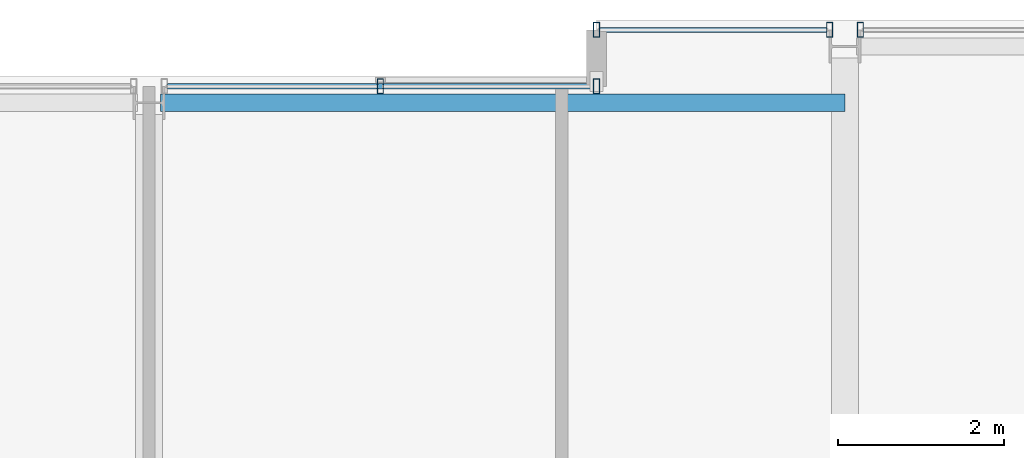
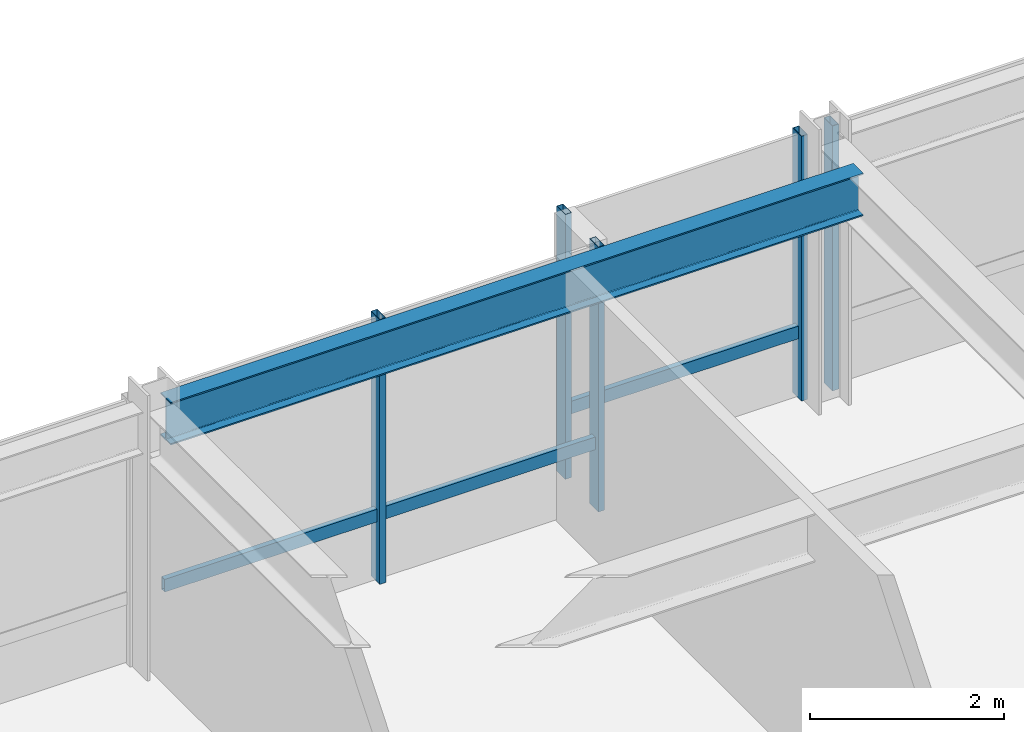
# One storey, part 21 of 33: 7 members, 1 beam, 3 elements without a shape of their own.
"""IFC4 building model written with IfcOpenShell, lengths in metres."""

from ifc_helpers import new_model, si_unit, direction, frame, origin, origin_2d, place, context, subcontext, project, spatial, hollow_rectangle, i_section, extrude, material, layer, layer_set, material_profile, profile_set, type_object, element, aggregate, save


model = new_model("IFC4")

# Units and contexts
model_context = context("Model", 3, precision=1e-05, world=origin(), true_north=direction((0.0, 1.0)))
body_context = subcontext(model_context, "Body", "Model", "MODEL_VIEW")
ifc_project = project(units=[si_unit("LENGTHUNIT", "METRE"), si_unit("AREAUNIT", "SQUARE_METRE"), si_unit("VOLUMEUNIT", "CUBIC_METRE"), si_unit("PLANEANGLEUNIT", "RADIAN"), si_unit("MASSUNIT", "GRAM", prefix="KILO")], contexts=[model_context])

# Site, building, storey
site_placement = place(None, origin())
site = spatial("IfcSite", under=ifc_project, at=site_placement, CompositionType="ELEMENT")
building_placement = place(site_placement, origin())
building = spatial("IfcBuilding", under=site, at=building_placement, Name="Drelvath Grand Hotel", CompositionType="ELEMENT")
storey_placement = place(building_placement, frame((0.0, 0.0, 212.300048828125)))
storey = spatial("IfcBuildingStorey", under=building, at=storey_placement, Name="L55", CompositionType="ELEMENT", Elevation=212.300048828125)

# Curtain wall, member
ifc_material_1 = material(Name="Platinum-Mist Anodised Aluminium Frame", Category="aluminium")
ifc_layer = layer(ifc_material_1, 0.199951171875)
ifc_layer_set = layer_set([ifc_layer], Name="Platinum-Mist Anodised Aluminium Frame")
curtain_wall_type = type_object("IfcCurtainWallType", Name="Stick Curtain Wall CW-05 Platinum Mist High-Rise", PredefinedType="NOTDEFINED", material=ifc_layer_set)
curtain_wall_1_placement = place(storey_placement, origin())
curtain_wall_1 = element("IfcCurtainWall", 1, at=curtain_wall_1_placement, inside=storey, type_object=curtain_wall_type, Name="L55 CW-05 Curtain Wall CW05-L55-NM2", PredefinedType="NOTDEFINED")
ifc_material_profile_1 = material_profile(ifc_material_1, hollow_rectangle(XDim=0.06494140625, YDim=0.159912109375, WallThickness=0.00390625, at=origin_2d()), Name="HSS160X65X4")
ifc_profile_set_1 = profile_set([ifc_material_profile_1], Name="Platinum-Mist Anodised Aluminium Frame")
member_type_1 = type_object("IfcMemberType", Name="Curtain Wall Horizontal Transom CW-05 HSS160X65X4", PredefinedType="USERDEFINED", material=ifc_profile_set_1)
member_1_placement = place(storey_placement, frame((0.225341796875, 48.39990234375, 0.8349609375), z_axis=(1.0, 0.0, 0.0), x_axis=(0.0, 1.0, 0.0)))
member_1 = element("IfcMember", 2, at=member_1_placement, type_object=member_type_1, Name="CW05-L55-NM2 Sill Transom", ObjectType="TRANSOM", PredefinedType="USERDEFINED", context=body_context, shape_type="SweptSolid", body=[
    extrude(hollow_rectangle(XDim=0.06494140625, YDim=0.159912109375, WallThickness=0.00390625, at=origin_2d()), origin(), (0.0, 0.0, 1.0), 5.134765625),
])

curtain_wall_2_placement = place(storey_placement, origin())
curtain_wall_2 = element("IfcCurtainWall", 3, at=curtain_wall_2_placement, inside=storey, type_object=curtain_wall_type, Name="L55 CW-05 Curtain Wall CW05-L55-NE1", PredefinedType="NOTDEFINED")
member_2_placement = place(storey_placement, frame((5.43994140625, 49.080078125, 0.8349609375), z_axis=(1.0, 0.0, 0.0), x_axis=(0.0, 1.0, 0.0)))
member_2 = element("IfcMember", 4, at=member_2_placement, type_object=member_type_1, Name="CW05-L55-NE1 Sill Transom", ObjectType="TRANSOM", PredefinedType="USERDEFINED", context=body_context, shape_type="SweptSolid", body=[
    extrude(hollow_rectangle(XDim=0.06494140625, YDim=0.159912109375, WallThickness=0.00390625, at=origin_2d()), origin(), (0.0, 0.0, 1.0), 2.73486328125),
])

# Member
ifc_material_profile_2 = material_profile(ifc_material_1, hollow_rectangle(XDim=0.074951171875, YDim=0.179931640625, WallThickness=0.0048828125, at=origin_2d()), Name="HSS180X75X5")
ifc_profile_set_2 = profile_set([ifc_material_profile_2], Name="Platinum-Mist Anodised Aluminium Frame")
member_type_2 = type_object("IfcMemberType", Name="Curtain Wall Vertical Mullion CW-05 HSS180X75X5", PredefinedType="MULLION", material=ifc_profile_set_2)
member_3_placement = place(storey_placement, frame((2.792724609375, 48.39990234375, 0.0), z_axis=(0.0, 0.0, 1.0), x_axis=(1.0, 0.0, 0.0)))
member_3 = element("IfcMember", 5, at=member_3_placement, type_object=member_type_2, Name="CW05-L55-NM2 Mullion 2", PredefinedType="MULLION", context=body_context, shape_type="SweptSolid", body=[
    extrude(hollow_rectangle(XDim=0.074951171875, YDim=0.179931640625, WallThickness=0.0048828125, at=origin_2d()), origin(), (0.0, 0.0, 1.0), 3.33984375),
])

member_4_placement = place(storey_placement, frame((5.39990234375, 48.39990234375, 0.0), z_axis=(0.0, 0.0, 1.0), x_axis=(1.0, 0.0, 0.0)))
member_4 = element("IfcMember", 6, at=member_4_placement, type_object=member_type_2, Name="CW05-L55-NM2 Mullion 3", PredefinedType="MULLION", context=body_context, shape_type="SweptSolid", body=[
    extrude(hollow_rectangle(XDim=0.074951171875, YDim=0.179931640625, WallThickness=0.0048828125, at=origin_2d()), origin(), (0.0, 0.0, 1.0), 3.33984375),
])

aggregate(curtain_wall_1, [member_3, member_4, member_1])

member_5_placement = place(storey_placement, frame((5.39990234375, 49.080078125, 0.0), z_axis=(0.0, 0.0, 1.0), x_axis=(1.0, 0.0, 0.0)))
member_5 = element("IfcMember", 7, at=member_5_placement, type_object=member_type_2, Name="CW05-L55-NE1 Mullion 1", PredefinedType="MULLION", context=body_context, shape_type="SweptSolid", body=[
    extrude(hollow_rectangle(XDim=0.074951171875, YDim=0.179931640625, WallThickness=0.0048828125, at=origin_2d()), origin(), (0.0, 0.0, 1.0), 3.33984375),
])

member_6_placement = place(storey_placement, frame((8.214599609375, 49.080078125, 0.0), z_axis=(0.0, 0.0, 1.0), x_axis=(1.0, 0.0, 0.0)))
member_6 = element("IfcMember", 8, at=member_6_placement, type_object=member_type_2, Name="CW05-L55-NE1 Mullion 2", PredefinedType="MULLION", context=body_context, shape_type="SweptSolid", body=[
    extrude(hollow_rectangle(XDim=0.074951171875, YDim=0.179931640625, WallThickness=0.0048828125, at=origin_2d()), origin(), (0.0, 0.0, 1.0), 3.33984375),
])

aggregate(curtain_wall_2, [member_5, member_6, member_2])

# Curtain wall, member
curtain_wall_3_placement = place(storey_placement, origin())
curtain_wall_3 = element("IfcCurtainWall", 9, at=curtain_wall_3_placement, inside=storey, type_object=curtain_wall_type, Name="L55 CW-05 Curtain Wall CW05-L55-NE2", PredefinedType="NOTDEFINED")
member_7_placement = place(storey_placement, frame((8.585205078125, 49.080078125, 0.0), z_axis=(0.0, 0.0, 1.0), x_axis=(1.0, 0.0, 0.0)))
member_7 = element("IfcMember", 10, at=member_7_placement, type_object=member_type_2, Name="CW05-L55-NE2 Mullion 1", PredefinedType="MULLION", context=body_context, shape_type="SweptSolid", body=[
    extrude(hollow_rectangle(XDim=0.074951171875, YDim=0.179931640625, WallThickness=0.0048828125, at=origin_2d()), origin(), (0.0, 0.0, 1.0), 3.33984375),
])
aggregate(curtain_wall_3, [member_7])

# Beam
ifc_material_2 = material(Name="Steel ASTM A992 Gr 50", Category="steel")
ifc_material_profile_3 = material_profile(ifc_material_2, i_section(OverallWidth=0.210205078125, OverallDepth=0.53662109375, WebThickness=0.010986328125, FlangeThickness=0.017333984375, FilletRadius=0.01806640625, at=origin_2d()), Name="W21X68")
ifc_profile_set_3 = profile_set([ifc_material_profile_3], Name="Steel ASTM A992 Gr 50")
beam_type = type_object("IfcBeamType", Name="Perimeter Spandrel Beam W21X68", PredefinedType="SPANDREL", material=ifc_profile_set_3)
beam_placement = place(storey_placement, frame((0.139892578125, 48.199951171875, 3.071533203125), z_axis=(1.0, 0.0, 0.0), x_axis=(0.0, 1.0, 0.0)))
element("IfcBeam", 11, at=beam_placement, inside=storey, type_object=beam_type, Name="L55 Spandrel North Mid E", PredefinedType="SPANDREL", context=body_context, shape_type="SweptSolid", body=[
    extrude(i_section(OverallWidth=0.210205078125, OverallDepth=0.53662109375, WebThickness=0.010986328125, FlangeThickness=0.017333984375, FilletRadius=0.01806640625, at=origin_2d()), origin(), (0.0, 0.0, 1.0), 8.260009765625),
])

save(model, "model.ifc")
